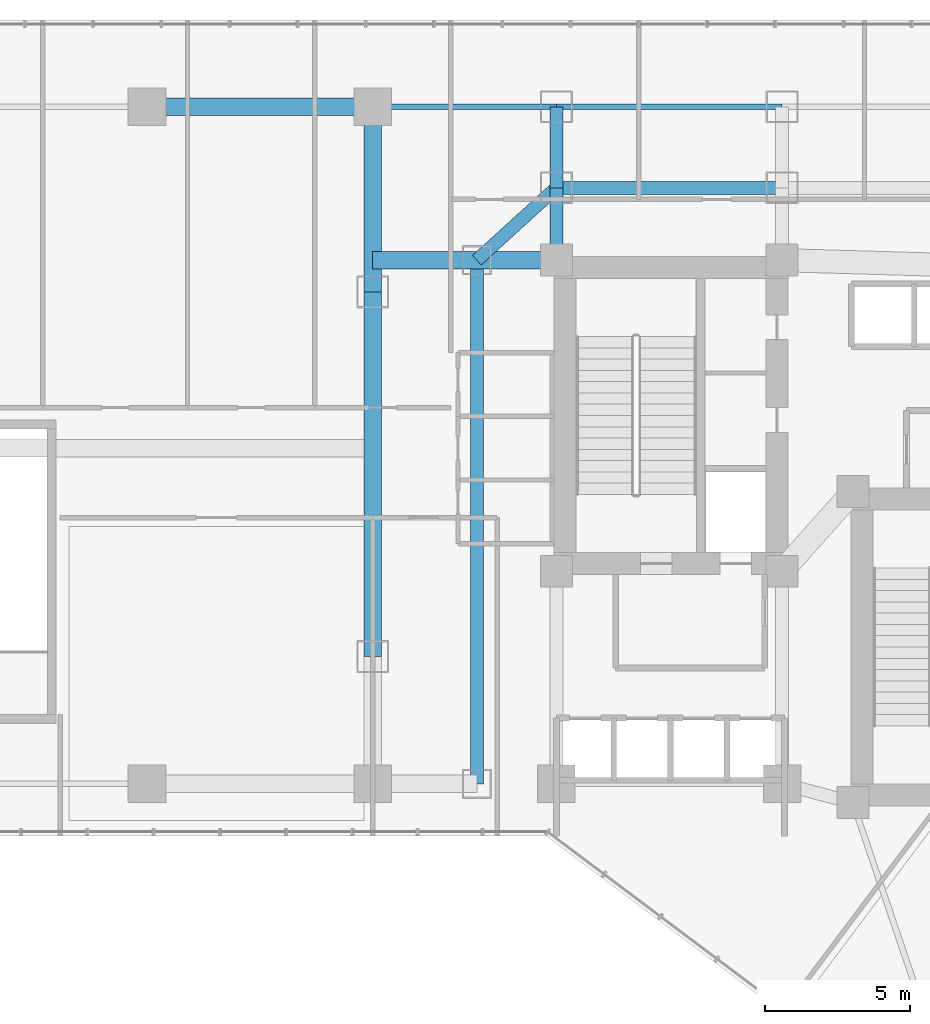
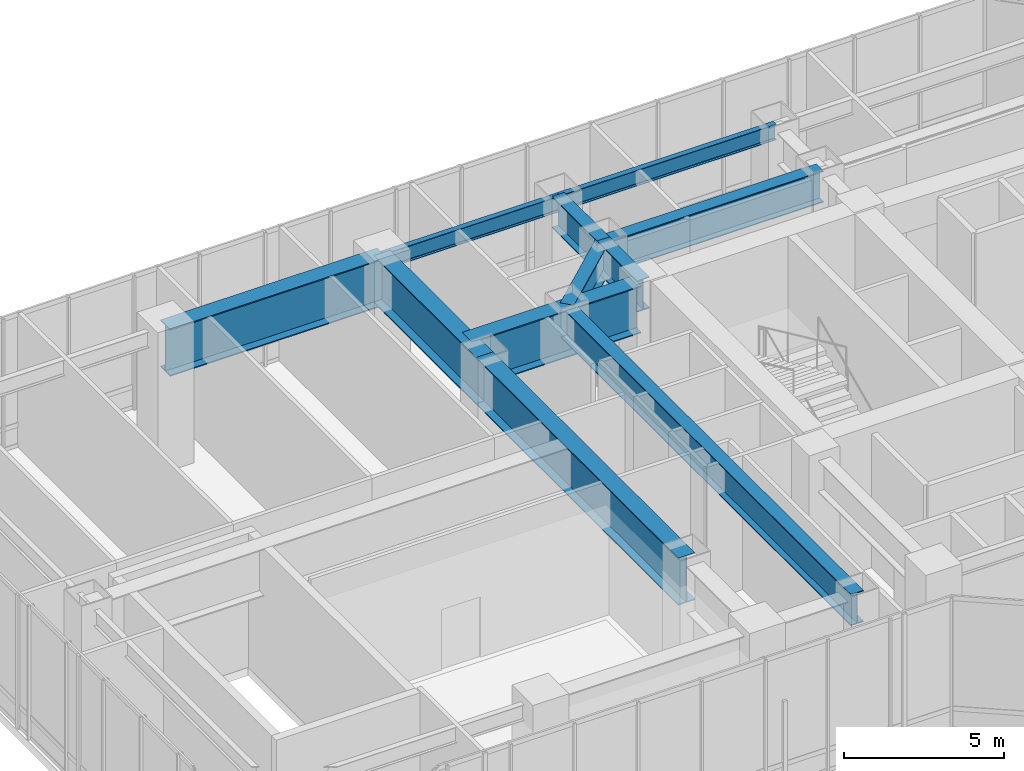
# One storey, part 21 of 38: 11 beams.
"""IFC4 building model written with IfcOpenShell, lengths in metres."""

from ifc_helpers import new_model, si_unit, direction, frame, origin, origin_2d, place, context, subcontext, project, spatial, i_section, extrude, material, material_profile, profile_set, type_object, element, save


model = new_model("IFC4")

# Units and contexts
model_context = context("Model", 3, precision=1e-05, world=origin(), true_north=direction((0.0, 1.0)))
body_context = subcontext(model_context, "Body", "Model", "MODEL_VIEW")
ifc_project = project(units=[si_unit("LENGTHUNIT", "METRE"), si_unit("AREAUNIT", "SQUARE_METRE"), si_unit("VOLUMEUNIT", "CUBIC_METRE"), si_unit("PLANEANGLEUNIT", "RADIAN"), si_unit("MASSUNIT", "GRAM", prefix="KILO")], contexts=[model_context])

# Site, building, storey
site_placement = place(None, origin())
site = spatial("IfcSite", under=ifc_project, at=site_placement, CompositionType="ELEMENT")
building_placement = place(site_placement, origin())
building = spatial("IfcBuilding", under=site, at=building_placement, Name="Hatsunagi Terrace Concourse", CompositionType="ELEMENT")
storey_placement = place(building_placement, frame((0.0, 0.0, 21.60009765625)))
storey = spatial("IfcBuildingStorey", under=building, at=storey_placement, Name="L05", CompositionType="ELEMENT", Elevation=21.60009765625)

# Beams
ifc_material_1 = material(Name="Steel SN490B", Category="steel")
ifc_material_profile_1 = material_profile(ifc_material_1, i_section(OverallWidth=0.199951171875, OverallDepth=0.60009765625, WebThickness=0.010986328125, FlangeThickness=0.01708984375, FilletRadius=0.01806640625, at=origin_2d()), Name="H-600x200x11x17")
ifc_profile_set_1 = profile_set([ifc_material_profile_1], Name="Steel SN490B")
beam_type_1 = type_object("IfcBeamType", Name="PerimeterSpandrel_H_600x200", PredefinedType="SPANDREL", material=ifc_profile_set_1)
beam_1_placement = place(storey_placement, frame((19.199951171875, 48.60009765625, 4.7998046875), z_axis=(1.0, 0.0, 0.0), x_axis=(0.0, 1.0, 0.0)))
element("IfcBeam", 1, at=beam_1_placement, inside=storey, type_object=beam_type_1, Name="Beam SP-01 BM-L05-WN-19", PredefinedType="SPANDREL", context=body_context, shape_type="SweptSolid", body=[
    extrude(i_section(OverallWidth=0.199951171875, OverallDepth=0.60009765625, WebThickness=0.010986328125, FlangeThickness=0.01708984375, FilletRadius=0.01806640625, at=origin_2d()), origin(), (0.0, 0.0, 1.0), 6.35009765625),
])
beam_2_placement = place(storey_placement, frame((25.550048828125, 48.60009765625, 4.7998046875), z_axis=(1.0, 0.0, 0.0), x_axis=(0.0, 1.0, 0.0)))
element("IfcBeam", 2, at=beam_2_placement, inside=storey, type_object=beam_type_1, Name="Beam SP-01 BM-L05-WN-25", PredefinedType="SPANDREL", context=body_context, shape_type="SweptSolid", body=[
    extrude(i_section(OverallWidth=0.199951171875, OverallDepth=0.60009765625, WebThickness=0.010986328125, FlangeThickness=0.01708984375, FilletRadius=0.01806640625, at=origin_2d()), origin(), (0.0, 0.0, 1.0), 7.800048828125),
])
ifc_material_2 = material(Name="Steel SN490B", Category="steel")
ifc_material_profile_2 = material_profile(ifc_material_2, i_section(OverallWidth=0.449951171875, OverallDepth=1.199951171875, WebThickness=0.02490234375, FlangeThickness=0.035888671875, at=origin_2d()), Name="BH-1200x450x25x36")
ifc_profile_set_2 = profile_set([ifc_material_profile_2], Name="Steel SN490B")
beam_type_2 = type_object("IfcBeamType", Name="PodiumHallGirder_BH_1200x450x25x36", PredefinedType="BEAM", material=ifc_profile_set_2)
beam_3_placement = place(storey_placement, frame((25.550048828125, 43.300048828125, 4.5), z_axis=(0.0, 1.0, 0.0), x_axis=(-1.0, 0.0, 0.0)))
element("IfcBeam", 3, at=beam_3_placement, inside=storey, type_object=beam_type_2, Name="Beam G-01 BM-L05-CN1", PredefinedType="BEAM", context=body_context, shape_type="SweptSolid", body=[
    extrude(i_section(OverallWidth=0.449951171875, OverallDepth=1.199951171875, WebThickness=0.02490234375, FlangeThickness=0.035888671875, at=origin_2d()), origin(), (0.0, 0.0, 1.0), 2.5),
])
beam_4_placement = place(storey_placement, frame((25.550048828125, 45.800048828125, 4.5), z_axis=(1.0, 0.0, 0.0), x_axis=(0.0, 1.0, 0.0)))
element("IfcBeam", 4, at=beam_4_placement, inside=storey, type_object=beam_type_2, Name="Beam G-01 BM-L05-CNEW1", PredefinedType="BEAM", context=body_context, shape_type="SweptSolid", body=[
    extrude(i_section(OverallWidth=0.449951171875, OverallDepth=1.199951171875, WebThickness=0.02490234375, FlangeThickness=0.035888671875, at=origin_2d()), origin(), (0.0, 0.0, 1.0), 7.800048828125),
])
beam_5_placement = place(storey_placement, frame((25.550048828125, 45.800048828125, 4.5), z_axis=(0.0, 1.0, 0.0), x_axis=(-1.0, 0.0, 0.0)))
element("IfcBeam", 5, at=beam_5_placement, inside=storey, type_object=beam_type_2, Name="Beam G-01 BM-L05-KN-WN4", PredefinedType="BEAM", context=body_context, shape_type="SweptSolid", body=[
    extrude(i_section(OverallWidth=0.449951171875, OverallDepth=1.199951171875, WebThickness=0.02490234375, FlangeThickness=0.035888671875, at=origin_2d()), origin(), (0.0, 0.0, 1.0), 2.800048828125),
])
beam_6_placement = place(storey_placement, frame((22.800048828125, 25.199951171875, 4.5), z_axis=(0.0, 1.0, 0.0), x_axis=(-1.0, 0.0, 0.0)))
element("IfcBeam", 6, at=beam_6_placement, inside=storey, type_object=beam_type_2, Name="Beam G-01 BM-L05-CWNS", PredefinedType="BEAM", context=body_context, shape_type="SweptSolid", body=[
    extrude(i_section(OverallWidth=0.449951171875, OverallDepth=1.199951171875, WebThickness=0.02490234375, FlangeThickness=0.035888671875, at=origin_2d()), origin(), (0.0, 0.0, 1.0), 18.10009765625),
])
beam_7_placement = place(storey_placement, frame((22.800048828125, 43.300048828125, 4.5), z_axis=(0.739940073396, 0.672672793996, 0.0), x_axis=(-0.672672793996, 0.739940073396, 0.0)))
element("IfcBeam", 7, at=beam_7_placement, inside=storey, type_object=beam_type_2, Name="Beam G-01 BM-L05-CWEW-N", PredefinedType="BEAM", context=body_context, shape_type="SweptSolid", body=[
    extrude(i_section(OverallWidth=0.449951171875, OverallDepth=1.199951171875, WebThickness=0.02490234375, FlangeThickness=0.035888671875, at=origin_2d()), origin(), (0.0, 0.0, 1.0), 3.716552734375),
])
ifc_material_3 = material(Name="Steel SN490C", Category="steel")
ifc_material_profile_3 = material_profile(ifc_material_3, i_section(OverallWidth=0.60009765625, OverallDepth=1.800048828125, WebThickness=0.031982421875, FlangeThickness=0.0400390625, at=origin_2d()), Name="BH-1800x600x32x40")
ifc_profile_set_3 = profile_set([ifc_material_profile_3], Name="Steel SN490C")
beam_type_3 = type_object("IfcBeamType", Name="TransferGirder_BH_1800x600x32x40", PredefinedType="USERDEFINED", material=ifc_profile_set_3)
beam_8_placement = place(storey_placement, frame((11.39990234375, 48.60009765625, 4.199951171875), z_axis=(1.0, 0.0, 0.0), x_axis=(0.0, 1.0, 0.0)))
element("IfcBeam", 8, at=beam_8_placement, inside=storey, type_object=beam_type_3, Name="Transfer girder TG-01 BM-L05-WN-11", ObjectType="TRANSFER_GIRDER", PredefinedType="USERDEFINED", context=body_context, shape_type="SweptSolid", body=[
    extrude(i_section(OverallWidth=0.60009765625, OverallDepth=1.800048828125, WebThickness=0.031982421875, FlangeThickness=0.0400390625, at=origin_2d()), origin(), (0.0, 0.0, 1.0), 7.800048828125),
])
beam_9_placement = place(storey_placement, frame((19.199951171875, 43.300048828125, 4.199951171875), z_axis=(1.0, 0.0, 0.0), x_axis=(0.0, 1.0, 0.0)))
element("IfcBeam", 9, at=beam_9_placement, inside=storey, type_object=beam_type_3, Name="Transfer girder TG-01 TG-L05-CW-N", ObjectType="TRANSFER_GIRDER", PredefinedType="USERDEFINED", context=body_context, shape_type="SweptSolid", body=[
    extrude(i_section(OverallWidth=0.60009765625, OverallDepth=1.800048828125, WebThickness=0.031982421875, FlangeThickness=0.0400390625, at=origin_2d()), origin(), (0.0, 0.0, 1.0), 6.10009765625),
])
beam_10_placement = place(storey_placement, frame((19.199951171875, 29.60009765625, 4.199951171875), z_axis=(0.0, 1.0, 0.0), x_axis=(-1.0, 0.0, 0.0)))
element("IfcBeam", 10, at=beam_10_placement, inside=storey, type_object=beam_type_3, Name="Transfer girder TG-01 TG-L05-19B", ObjectType="TRANSFER_GIRDER", PredefinedType="USERDEFINED", context=body_context, shape_type="SweptSolid", body=[
    extrude(i_section(OverallWidth=0.60009765625, OverallDepth=1.800048828125, WebThickness=0.031982421875, FlangeThickness=0.0400390625, at=origin_2d()), origin(), (0.0, 0.0, 1.0), 12.599853515625),
])
beam_11_placement = place(storey_placement, frame((19.199951171875, 42.199951171875, 4.199951171875), z_axis=(0.0, 1.0, 0.0), x_axis=(-1.0, 0.0, 0.0)))
element("IfcBeam", 11, at=beam_11_placement, inside=storey, type_object=beam_type_3, Name="Transfer girder TG-01 TG-L05-19C", ObjectType="TRANSFER_GIRDER", PredefinedType="USERDEFINED", context=body_context, shape_type="SweptSolid", body=[
    extrude(i_section(OverallWidth=0.60009765625, OverallDepth=1.800048828125, WebThickness=0.031982421875, FlangeThickness=0.0400390625, at=origin_2d()), origin(), (0.0, 0.0, 1.0), 6.400146484375),
])

save(model, "model.ifc")
